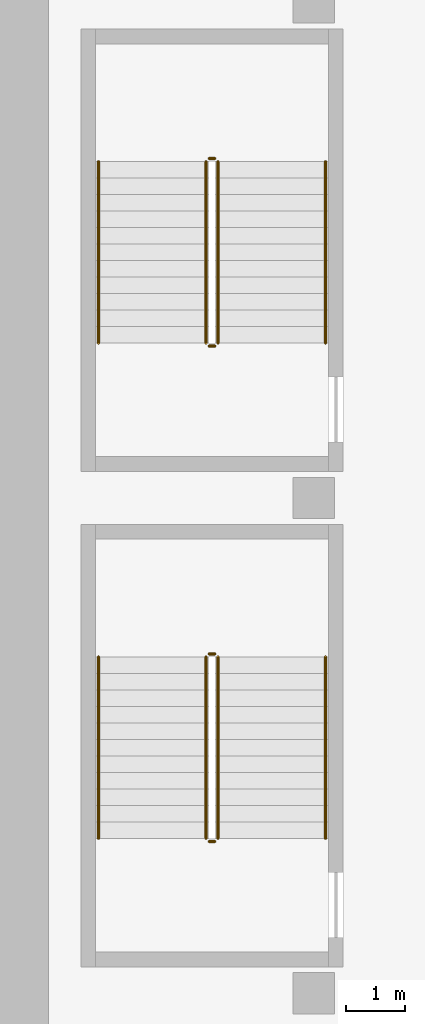
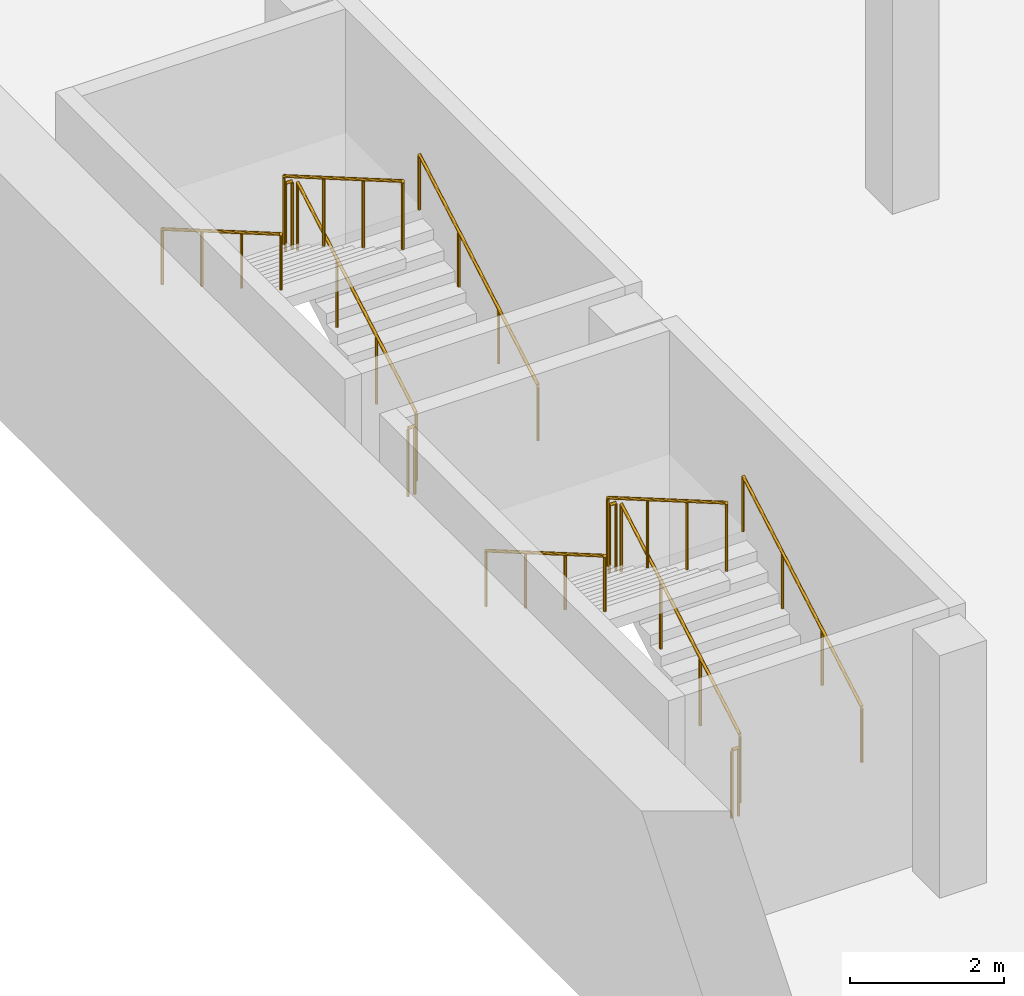
# One storey, part 23 of 25: 12 railings.
"""IFC4 building model written with IfcOpenShell, lengths in metres."""

from ifc_helpers import new_model, si_unit, direction, frame, origin, origin_2d, place, context, subcontext, project, spatial, circle, extrude, material, type_object, element, save


model = new_model("IFC4")

# Units and contexts
model_context = context("Model", 3, precision=1e-05, world=origin(), true_north=direction((0.0, 1.0)))
body_context = subcontext(model_context, "Body", "Model", "MODEL_VIEW")
ifc_project = project(units=[si_unit("LENGTHUNIT", "METRE"), si_unit("AREAUNIT", "SQUARE_METRE"), si_unit("VOLUMEUNIT", "CUBIC_METRE"), si_unit("PLANEANGLEUNIT", "RADIAN"), si_unit("MASSUNIT", "GRAM", prefix="KILO")], contexts=[model_context])

# Site, building, storey
site_placement = place(None, origin())
site = spatial("IfcSite", under=ifc_project, at=site_placement, CompositionType="ELEMENT")
building_placement = place(site_placement, origin())
building = spatial("IfcBuilding", under=site, at=building_placement, Name="Verdalira Terraces Hotel", CompositionType="ELEMENT")
storey_placement = place(building_placement, frame((0.0, 0.0, -3.899902)))
storey = spatial("IfcBuildingStorey", under=building, at=storey_placement, Name="B1", CompositionType="ELEMENT", Elevation=-3.89990234375)

# Railings
ifc_material_1 = material(Name="Stainless steel", Category="steel")
railing_type_1 = type_object("IfcRailingType", Name="Stair guard 1100", PredefinedType="GUARDRAIL", material=ifc_material_1)
railing_1_placement = place(storey_placement, frame((-50.125, 27.824951, 0.162354)))
element("IfcRailing", 1, at=railing_1_placement, inside=storey, type_object=railing_type_1, Name="B1 Basement stair 4 stair guard 1", PredefinedType="GUARDRAIL", context=body_context, shape_type="SweptSolid", body=[
    extrude(circle(Radius=0.023926, at=origin_2d()), frame((0.0, 0.0, 1.076172), z_axis=(0.0, 0.864890721, 0.501960198), x_axis=(-1.0, 0.0, 0.0)), (0.0, 0.0, 1.0), 3.561279),
    extrude(circle(Radius=0.020996, at=origin_2d()), origin(), (0.0, 0.0, 1.0), 1.052002),
    extrude(circle(Radius=0.020996, at=origin_2d()), frame((0.0, 1.026611, 0.595947)), (0.0, 0.0, 1.0), 1.052002),
    extrude(circle(Radius=0.020996, at=origin_2d()), frame((0.0, 2.053467, 1.19165)), (0.0, 0.0, 1.0), 1.052002),
    extrude(circle(Radius=0.020996, at=origin_2d()), frame((0.0, 3.080078, 1.787598)), (0.0, 0.0, 1.0), 1.052002),
])
railing_2_placement = place(storey_placement, frame((-50.175049, 30.955078, 1.949951)))
element("IfcRailing", 2, at=railing_2_placement, inside=storey, type_object=railing_type_1, Name="B1 Basement stair 4 stair guard 2", PredefinedType="GUARDRAIL", context=body_context, shape_type="SweptSolid", body=[
    extrude(circle(Radius=0.023926, at=origin_2d()), frame((0.0, 0.0, 1.076172), z_axis=(-1.0, 0.0, 0.0), x_axis=(0.0, -1.0, 0.0)), (0.0, 0.0, 1.0), 0.099854),
    extrude(circle(Radius=0.020996, at=origin_2d()), origin(), (0.0, 0.0, 1.0), 1.052002),
    extrude(circle(Radius=0.020996, at=origin_2d()), frame((-0.099854, 0.0, 0.0)), (0.0, 0.0, 1.0), 1.052002),
])
railing_3_placement = place(storey_placement, frame((-50.324951, 30.905029, 2.112305)))
element("IfcRailing", 3, at=railing_3_placement, inside=storey, type_object=railing_type_1, Name="B1 Basement stair 4 stair guard 3", PredefinedType="GUARDRAIL", context=body_context, shape_type="SweptSolid", body=[
    extrude(circle(Radius=0.023926, at=origin_2d()), frame((0.0, 0.0, 1.076172), z_axis=(0.0, -0.864890721, 0.501960198), x_axis=(1.0, 0.0, 0.0)), (0.0, 0.0, 1.0), 3.561279),
    extrude(circle(Radius=0.020996, at=origin_2d()), origin(), (0.0, 0.0, 1.0), 1.052002),
    extrude(circle(Radius=0.020996, at=origin_2d()), frame((0.0, -1.026611, 0.595947)), (0.0, 0.0, 1.0), 1.052002),
    extrude(circle(Radius=0.020996, at=origin_2d()), frame((0.0, -2.053467, 1.19165)), (0.0, 0.0, 1.0), 1.052002),
    extrude(circle(Radius=0.020996, at=origin_2d()), frame((0.0, -3.080078, 1.787598)), (0.0, 0.0, 1.0), 1.052002),
])
railing_4_placement = place(storey_placement, frame((-50.175049, 27.774902, 0.0)))
element("IfcRailing", 4, at=railing_4_placement, inside=storey, type_object=railing_type_1, Name="B1 Basement stair 4 stair guard 4", PredefinedType="GUARDRAIL", context=body_context, shape_type="SweptSolid", body=[
    extrude(circle(Radius=0.023926, at=origin_2d()), frame((0.0, 0.0, 1.076172), z_axis=(-1.0, 0.0, 0.0), x_axis=(0.0, -1.0, 0.0)), (0.0, 0.0, 1.0), 0.099854),
    extrude(circle(Radius=0.020996, at=origin_2d()), origin(), (0.0, 0.0, 1.0), 1.052002),
    extrude(circle(Radius=0.020996, at=origin_2d()), frame((-0.099854, 0.0, 0.0)), (0.0, 0.0, 1.0), 1.052002),
])
railing_5_placement = place(storey_placement, frame((-50.125, 19.425049, 0.162354)))
element("IfcRailing", 5, at=railing_5_placement, inside=storey, type_object=railing_type_1, Name="B1 Basement stair 7 stair guard 1", PredefinedType="GUARDRAIL", context=body_context, shape_type="SweptSolid", body=[
    extrude(circle(Radius=0.023926, at=origin_2d()), frame((0.0, 0.0, 1.076172), z_axis=(0.0, 0.864873446, 0.501989962), x_axis=(-1.0, 0.0, 0.0)), (0.0, 0.0, 1.0), 3.561035),
    extrude(circle(Radius=0.020996, at=origin_2d()), origin(), (0.0, 0.0, 1.0), 1.052002),
    extrude(circle(Radius=0.020996, at=origin_2d()), frame((0.0, 1.026611, 0.595947)), (0.0, 0.0, 1.0), 1.052002),
    extrude(circle(Radius=0.020996, at=origin_2d()), frame((0.0, 2.053223, 1.19165)), (0.0, 0.0, 1.0), 1.052002),
    extrude(circle(Radius=0.020996, at=origin_2d()), frame((0.0, 3.079834, 1.787598)), (0.0, 0.0, 1.0), 1.052002),
])
railing_6_placement = place(storey_placement, frame((-50.175049, 22.554932, 1.949951)))
element("IfcRailing", 6, at=railing_6_placement, inside=storey, type_object=railing_type_1, Name="B1 Basement stair 7 stair guard 2", PredefinedType="GUARDRAIL", context=body_context, shape_type="SweptSolid", body=[
    extrude(circle(Radius=0.023926, at=origin_2d()), frame((0.0, 0.0, 1.076172), z_axis=(-1.0, 0.0, 0.0), x_axis=(0.0, -1.0, 0.0)), (0.0, 0.0, 1.0), 0.099854),
    extrude(circle(Radius=0.020996, at=origin_2d()), origin(), (0.0, 0.0, 1.0), 1.052002),
    extrude(circle(Radius=0.020996, at=origin_2d()), frame((-0.099854, 0.0, 0.0)), (0.0, 0.0, 1.0), 1.052002),
])
railing_7_placement = place(storey_placement, frame((-50.324951, 22.504883, 2.112305)))
element("IfcRailing", 7, at=railing_7_placement, inside=storey, type_object=railing_type_1, Name="B1 Basement stair 7 stair guard 3", PredefinedType="GUARDRAIL", context=body_context, shape_type="SweptSolid", body=[
    extrude(circle(Radius=0.023926, at=origin_2d()), frame((0.0, 0.0, 1.076172), z_axis=(0.0, -0.864873446, 0.501989962), x_axis=(1.0, 0.0, 0.0)), (0.0, 0.0, 1.0), 3.561035),
    extrude(circle(Radius=0.020996, at=origin_2d()), origin(), (0.0, 0.0, 1.0), 1.052002),
    extrude(circle(Radius=0.020996, at=origin_2d()), frame((0.0, -1.026611, 0.595947)), (0.0, 0.0, 1.0), 1.052002),
    extrude(circle(Radius=0.020996, at=origin_2d()), frame((0.0, -2.053223, 1.19165)), (0.0, 0.0, 1.0), 1.052002),
    extrude(circle(Radius=0.020996, at=origin_2d()), frame((0.0, -3.079834, 1.787598)), (0.0, 0.0, 1.0), 1.052002),
])
railing_8_placement = place(storey_placement, frame((-50.175049, 19.375, 0.0)))
element("IfcRailing", 8, at=railing_8_placement, inside=storey, type_object=railing_type_1, Name="B1 Basement stair 7 stair guard 4", PredefinedType="GUARDRAIL", context=body_context, shape_type="SweptSolid", body=[
    extrude(circle(Radius=0.023926, at=origin_2d()), frame((0.0, 0.0, 1.076172), z_axis=(-1.0, 0.0, 0.0), x_axis=(0.0, -1.0, 0.0)), (0.0, 0.0, 1.0), 0.099854),
    extrude(circle(Radius=0.020996, at=origin_2d()), origin(), (0.0, 0.0, 1.0), 1.052002),
    extrude(circle(Radius=0.020996, at=origin_2d()), frame((-0.099854, 0.0, 0.0)), (0.0, 0.0, 1.0), 1.052002),
])
ifc_material_2 = material(Name="Stainless steel", Category="steel")
railing_type_2 = type_object("IfcRailingType", Name="Stair handrail 900", PredefinedType="HANDRAIL", material=ifc_material_2)
railing_9_placement = place(storey_placement, frame((-48.300049, 27.824951, 0.162354)))
element("IfcRailing", 9, at=railing_9_placement, inside=storey, type_object=railing_type_2, Name="B1 Basement stair 4 stair handrail 1", PredefinedType="HANDRAIL", context=body_context, shape_type="SweptSolid", body=[
    extrude(circle(Radius=0.023926, at=origin_2d()), frame((0.0, 0.0, 0.875977), z_axis=(0.0, 0.864890721, 0.501960198), x_axis=(-1.0, 0.0, 0.0)), (0.0, 0.0, 1.0), 3.561279),
    extrude(circle(Radius=0.020996, at=origin_2d()), origin(), (0.0, 0.0, 1.0), 0.851807),
    extrude(circle(Radius=0.020996, at=origin_2d()), frame((0.0, 1.026611, 0.595947)), (0.0, 0.0, 1.0), 0.851807),
    extrude(circle(Radius=0.020996, at=origin_2d()), frame((0.0, 2.053467, 1.19165)), (0.0, 0.0, 1.0), 0.851807),
    extrude(circle(Radius=0.020996, at=origin_2d()), frame((0.0, 3.080078, 1.787598)), (0.0, 0.0, 1.0), 0.851807),
])
railing_10_placement = place(storey_placement, frame((-52.149902, 30.905029, 2.112305)))
element("IfcRailing", 10, at=railing_10_placement, inside=storey, type_object=railing_type_2, Name="B1 Basement stair 4 stair handrail 2", PredefinedType="HANDRAIL", context=body_context, shape_type="SweptSolid", body=[
    extrude(circle(Radius=0.023926, at=origin_2d()), frame((0.0, 0.0, 0.875977), z_axis=(0.0, -0.864890721, 0.501960198), x_axis=(1.0, 0.0, 0.0)), (0.0, 0.0, 1.0), 3.561279),
    extrude(circle(Radius=0.020996, at=origin_2d()), origin(), (0.0, 0.0, 1.0), 0.851807),
    extrude(circle(Radius=0.020996, at=origin_2d()), frame((0.0, -1.026611, 0.595947)), (0.0, 0.0, 1.0), 0.851807),
    extrude(circle(Radius=0.020996, at=origin_2d()), frame((0.0, -2.053467, 1.19165)), (0.0, 0.0, 1.0), 0.851807),
    extrude(circle(Radius=0.020996, at=origin_2d()), frame((0.0, -3.080078, 1.787598)), (0.0, 0.0, 1.0), 0.851807),
])
railing_11_placement = place(storey_placement, frame((-48.300049, 19.425049, 0.162354)))
element("IfcRailing", 11, at=railing_11_placement, inside=storey, type_object=railing_type_2, Name="B1 Basement stair 7 stair handrail 1", PredefinedType="HANDRAIL", context=body_context, shape_type="SweptSolid", body=[
    extrude(circle(Radius=0.023926, at=origin_2d()), frame((0.0, 0.0, 0.875977), z_axis=(0.0, 0.864873446, 0.501989962), x_axis=(-1.0, 0.0, 0.0)), (0.0, 0.0, 1.0), 3.561035),
    extrude(circle(Radius=0.020996, at=origin_2d()), origin(), (0.0, 0.0, 1.0), 0.851807),
    extrude(circle(Radius=0.020996, at=origin_2d()), frame((0.0, 1.026611, 0.595947)), (0.0, 0.0, 1.0), 0.851807),
    extrude(circle(Radius=0.020996, at=origin_2d()), frame((0.0, 2.053223, 1.19165)), (0.0, 0.0, 1.0), 0.851807),
    extrude(circle(Radius=0.020996, at=origin_2d()), frame((0.0, 3.079834, 1.787598)), (0.0, 0.0, 1.0), 0.851807),
])
railing_12_placement = place(storey_placement, frame((-52.149902, 22.504883, 2.112305)))
element("IfcRailing", 12, at=railing_12_placement, inside=storey, type_object=railing_type_2, Name="B1 Basement stair 7 stair handrail 2", PredefinedType="HANDRAIL", context=body_context, shape_type="SweptSolid", body=[
    extrude(circle(Radius=0.023926, at=origin_2d()), frame((0.0, 0.0, 0.875977), z_axis=(0.0, -0.864873446, 0.501989962), x_axis=(1.0, 0.0, 0.0)), (0.0, 0.0, 1.0), 3.561035),
    extrude(circle(Radius=0.020996, at=origin_2d()), origin(), (0.0, 0.0, 1.0), 0.851807),
    extrude(circle(Radius=0.020996, at=origin_2d()), frame((0.0, -1.026611, 0.595947)), (0.0, 0.0, 1.0), 0.851807),
    extrude(circle(Radius=0.020996, at=origin_2d()), frame((0.0, -2.053223, 1.19165)), (0.0, 0.0, 1.0), 0.851807),
    extrude(circle(Radius=0.020996, at=origin_2d()), frame((0.0, -3.079834, 1.787598)), (0.0, 0.0, 1.0), 0.851807),
])

save(model, "model.ifc")
